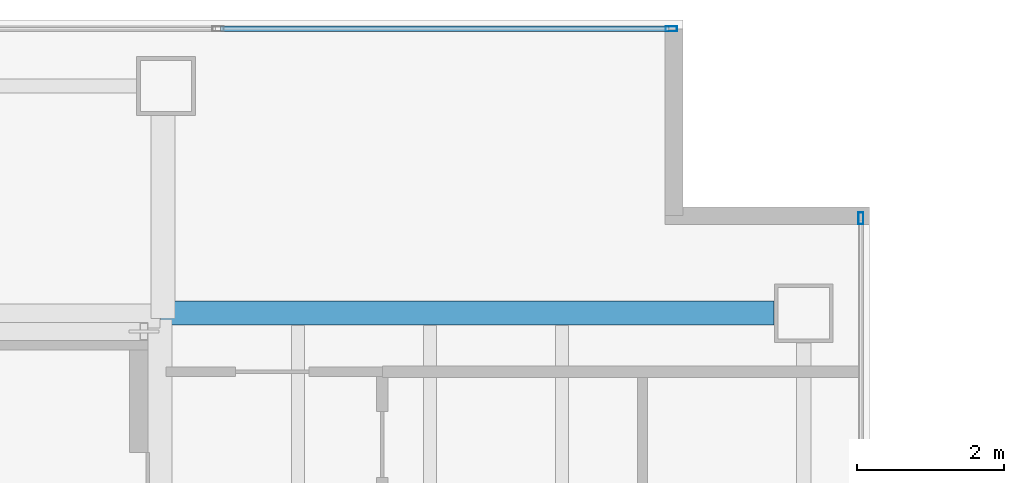
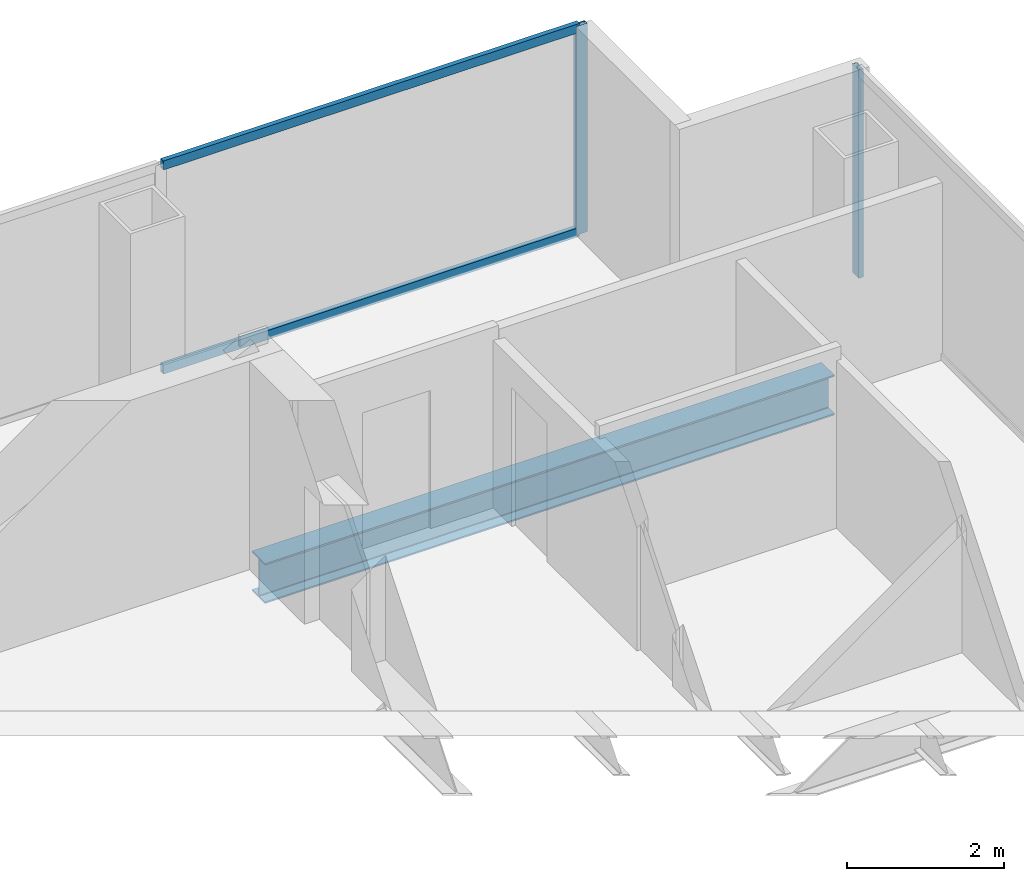
# One storey, part 18 of 23: 4 members, 1 beam, 2 elements without a shape of their own.
"""IFC4 building model written with IfcOpenShell, lengths in metres."""

from ifc_helpers import new_model, si_unit, direction, frame, origin, origin_2d, place, context, subcontext, project, spatial, hollow_rectangle, i_section, extrude, material, material_profile, profile_set, type_object, element, aggregate, save


model = new_model("IFC4")

# Units and contexts
model_context = context("Model", 3, precision=1e-05, world=origin(), true_north=direction((0.0, 1.0)))
body_context = subcontext(model_context, "Body", "Model", "MODEL_VIEW")
ifc_project = project(units=[si_unit("LENGTHUNIT", "METRE"), si_unit("AREAUNIT", "SQUARE_METRE"), si_unit("VOLUMEUNIT", "CUBIC_METRE"), si_unit("PLANEANGLEUNIT", "RADIAN"), si_unit("MASSUNIT", "GRAM", prefix="KILO")], contexts=[model_context])

# Site, building, storey
site_placement = place(None, origin())
site = spatial("IfcSite", under=ifc_project, at=site_placement, CompositionType="ELEMENT")
building_placement = place(site_placement, origin())
building = spatial("IfcBuilding", under=site, at=building_placement, Name="Cobrela Telecom Tower", CompositionType="ELEMENT")
storey_placement = place(building_placement, frame((0.0, 0.0, 194.25)))
storey = spatial("IfcBuildingStorey", under=building, at=storey_placement, Name="L49", CompositionType="ELEMENT", Elevation=194.25)

# Beam
ifc_material_1 = material(Name="Steel ASTM A992 Grade 50", Category="steel")
ifc_material_profile_1 = material_profile(ifc_material_1, i_section(OverallWidth=0.327880859375, OverallDepth=0.6220703125, WebThickness=0.015380859375, FlangeThickness=0.0244140625, FilletRadius=0.014892578125, at=origin_2d()), Name="W24X131")
ifc_profile_set_1 = profile_set([ifc_material_profile_1], Name="Steel ASTM A992 Grade 50")
beam_type = type_object("IfcBeamType", Name="BM-GIRD-06", PredefinedType="USERDEFINED", material=ifc_profile_set_1)
beam_placement = place(storey_placement, frame((14.324951171875, 36.0, -0.571044921875), z_axis=(1.0, 0.0, 0.0), x_axis=(0.0, 1.0, 0.0)))
element("IfcBeam", 1, at=beam_placement, inside=storey, type_object=beam_type, Name="L49 Primary Girder X22", ObjectType="GIRDER", PredefinedType="USERDEFINED", context=body_context, shape_type="SweptSolid", body=[
    extrude(i_section(OverallWidth=0.327880859375, OverallDepth=0.6220703125, WebThickness=0.015380859375, FlangeThickness=0.0244140625, FilletRadius=0.014892578125, at=origin_2d()), origin(), (0.0, 0.0, 1.0), 8.3701171875),
])

# Curtain wall, member
ifc_material_2 = material(Name="Anodized Bronze Aluminium 6063-T6", Category="aluminium")
curtain_wall_type = type_object("IfcCurtainWallType", Name="CW-SYS-OFF-LO", PredefinedType="USERDEFINED", material=ifc_material_2)
curtain_wall_1_placement = place(storey_placement, origin())
curtain_wall_1 = element("IfcCurtainWall", 2, at=curtain_wall_1_placement, inside=storey, type_object=curtain_wall_type, Name="L49 Unitised Bronze Curtain Wall 07", ObjectType="UNITISED CURTAIN WALL", PredefinedType="USERDEFINED")
ifc_material_profile_2 = material_profile(ifc_material_2, hollow_rectangle(XDim=0.070068359375, YDim=0.159912109375, WallThickness=0.00390625, at=origin_2d()), Name="ALU 70x160x4")
ifc_profile_set_2 = profile_set([ifc_material_profile_2], Name="Anodized Bronze Aluminium 6063-T6")
member_type_1 = type_object("IfcMemberType", Name="CW-SYS-OFF-LO-MUL", PredefinedType="MULLION", material=ifc_profile_set_2)
member_1_placement = place(storey_placement, frame((21.294921875, 39.8798828125, 0.0), z_axis=(0.0, 0.0, 1.0), x_axis=(0.0, 1.0, 0.0)))
member_1 = element("IfcMember", 3, at=member_1_placement, type_object=member_type_1, Name="CW-OFF-LO mullion 4", PredefinedType="MULLION", context=body_context, shape_type="SweptSolid", body=[
    extrude(hollow_rectangle(XDim=0.070068359375, YDim=0.159912109375, WallThickness=0.00390625, at=origin_2d()), origin(), (0.0, 0.0, 1.0), 3.239990234375),
])

curtain_wall_2_placement = place(storey_placement, origin())
curtain_wall_2 = element("IfcCurtainWall", 4, at=curtain_wall_2_placement, inside=storey, type_object=curtain_wall_type, Name="L49 Unitised Bronze Curtain Wall 10", ObjectType="UNITISED CURTAIN WALL", PredefinedType="USERDEFINED")
member_2_placement = place(storey_placement, frame((23.8798828125, 37.294921875, 0.0), z_axis=(0.0, 0.0, 1.0), x_axis=(1.0, 0.0, 0.0)))
member_2 = element("IfcMember", 5, at=member_2_placement, type_object=member_type_1, Name="CW-OFF-LO mullion 1", PredefinedType="MULLION", context=body_context, shape_type="SweptSolid", body=[
    extrude(hollow_rectangle(XDim=0.070068359375, YDim=0.159912109375, WallThickness=0.00390625, at=origin_2d()), origin(), (0.0, 0.0, 1.0), 3.239990234375),
])
aggregate(curtain_wall_2, [member_2])

# Member
ifc_material_profile_3 = material_profile(ifc_material_2, hollow_rectangle(XDim=0.070068359375, YDim=0.139892578125, WallThickness=0.00390625, at=origin_2d()), Name="ALU 70x140x4")
ifc_profile_set_3 = profile_set([ifc_material_profile_3], Name="Anodized Bronze Aluminium 6063-T6")
member_type_2 = type_object("IfcMemberType", Name="CW-SYS-OFF-LO-TRN", PredefinedType="USERDEFINED", material=ifc_profile_set_3)
member_3_placement = place(storey_placement, frame((15.14501953125, 39.8798828125, 0.034912109375), z_axis=(1.0, 0.0, 0.0), x_axis=(0.0, 1.0, 0.0)))
member_3 = element("IfcMember", 6, at=member_3_placement, type_object=member_type_2, Name="CW-OFF-LO transom 3.1", ObjectType="TRANSOM", PredefinedType="USERDEFINED", context=body_context, shape_type="SweptSolid", body=[
    extrude(hollow_rectangle(XDim=0.070068359375, YDim=0.139892578125, WallThickness=0.00390625, at=origin_2d()), origin(), (0.0, 0.0, 1.0), 6.114990234375),
])

member_4_placement = place(storey_placement, frame((15.14501953125, 39.8798828125, 3.205078125), z_axis=(1.0, 0.0, 0.0), x_axis=(0.0, 1.0, 0.0)))
member_4 = element("IfcMember", 7, at=member_4_placement, type_object=member_type_2, Name="CW-OFF-LO transom 3.2", ObjectType="TRANSOM", PredefinedType="USERDEFINED", context=body_context, shape_type="SweptSolid", body=[
    extrude(hollow_rectangle(XDim=0.070068359375, YDim=0.139892578125, WallThickness=0.00390625, at=origin_2d()), origin(), (0.0, 0.0, 1.0), 6.114990234375),
])

aggregate(curtain_wall_1, [member_1, member_3, member_4])

save(model, "model.ifc")
